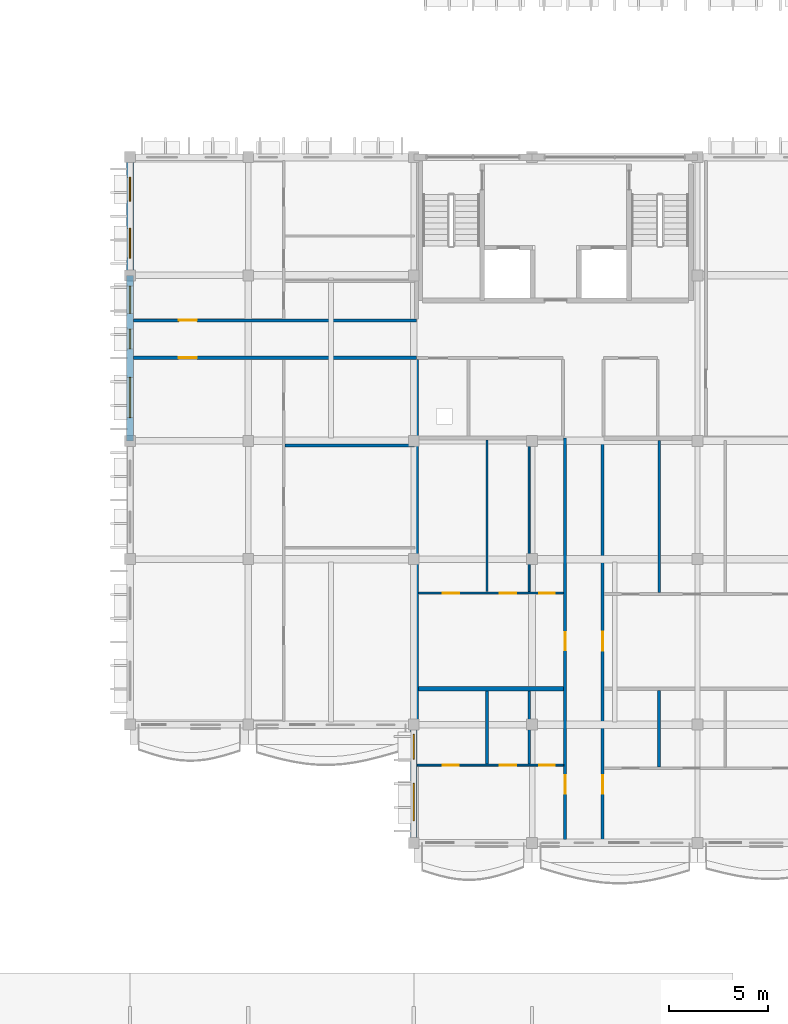
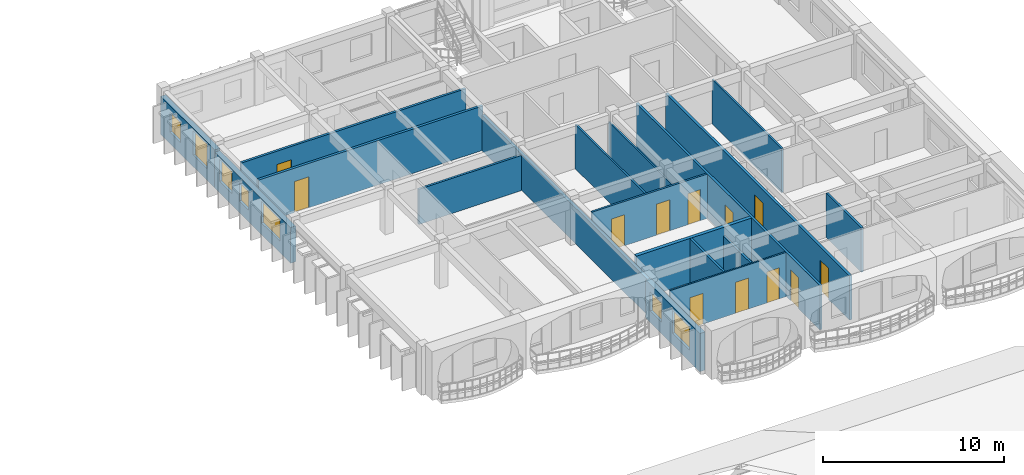
# One storey, part 59 of 101: 18 walls, 12 doors, 7 windows, 19 openings.
"""IFC4 building model written with IfcOpenShell, lengths in metres."""

from ifc_helpers import new_model, si_unit, direction, frame, frame_2d, origin, place, context, subcontext, project, spatial, rectangle, extrude, material, layer, layer_set, type_object, element, fill, save


model = new_model("IFC4")

# Units and contexts
model_context = context("Model", 3, precision=1e-05, world=origin(), true_north=direction((0.0, 1.0)))
body_context = subcontext(model_context, "Body", "Model", "MODEL_VIEW")
ifc_project = project(units=[si_unit("LENGTHUNIT", "METRE"), si_unit("AREAUNIT", "SQUARE_METRE"), si_unit("VOLUMEUNIT", "CUBIC_METRE"), si_unit("PLANEANGLEUNIT", "RADIAN"), si_unit("MASSUNIT", "GRAM", prefix="KILO"), si_unit("THERMODYNAMICTEMPERATUREUNIT", "KELVIN")], contexts=[model_context])

# Site, building, storey
site_placement = place(None, origin())
site = spatial("IfcSite", under=ifc_project, at=site_placement, CompositionType="ELEMENT")
building_placement = place(site_placement, origin())
building = spatial("IfcBuilding", under=site, at=building_placement, Name="Thalorik Housing Commons", CompositionType="ELEMENT")
storey_placement = place(building_placement, frame((0.0, 0.0, 8.10009765625)))
storey = spatial("IfcBuildingStorey", under=building, at=storey_placement, Name="L02", CompositionType="ELEMENT", Elevation=8.10009765625)

# Wall, openings, doors
ifc_material_1 = material(Name="Masonry fire-rated corridor wall", Category="masonry")
ifc_layer_1 = layer(ifc_material_1, 0.14990234375, Name="Masonry fire-rated corridor wall", Category="masonry")
ifc_layer_set_1 = layer_set([ifc_layer_1], Name="Masonry fire-rated corridor wall")
wall_type_1 = type_object("IfcWallType", Name="ARC-WAL-CORR-150", PredefinedType="PARTITIONING", material=ifc_layer_set_1)
wall_1_placement = place(storey_placement, frame((160.080078125, 37.369384765625, 0.0), z_axis=(0.0, 0.0, 1.0), x_axis=(0.0, 1.0, 0.0)))
wall_1 = element("IfcWall", 1, at=wall_1_placement, inside=storey, type_object=wall_type_1, Name="L02 Block D E Corridor Wall 1", PredefinedType="PARTITIONING", context=body_context, shape_type="SweptSolid", body=[
    extrude(rectangle(XDim=20.37060546875, YDim=0.14990234375, at=frame_2d((10.185302734375, 0.0))), origin(), (0.0, 0.0, 1.0), 3.0),
])
opening_1_placement = place(wall_1_placement, frame((2.33349609375, 0.0, 0.0)))
opening_1 = element("IfcOpeningElement", 2, at=opening_1_placement, cuts=wall_1, Name="Opening ID-2012", PredefinedType="OPENING", context=body_context, shape_type="SweptSolid", body=[
    extrude(rectangle(XDim=0.919921875, YDim=2.10009765625, at=frame_2d((0.4599609375, 1.050048828125))), frame((0.0, 0.0849609375, 0.0), z_axis=(0.0, -1.0, 0.0), x_axis=(1.0, 0.0, 0.0)), (0.0, 0.0, 1.0), 0.169921875),
])
opening_2_placement = place(wall_1_placement, frame((9.6005859375, 0.0, 0.0)))
opening_2 = element("IfcOpeningElement", 3, at=opening_2_placement, cuts=wall_1, Name="Opening ID-2013", PredefinedType="OPENING", context=body_context, shape_type="SweptSolid", body=[
    extrude(rectangle(XDim=0.919921875, YDim=2.10009765625, at=frame_2d((0.4599609375, 1.050048828125))), frame((0.0, 0.0849609375, 0.0), z_axis=(0.0, -1.0, 0.0), x_axis=(1.0, 0.0, 0.0)), (0.0, 0.0, 1.0), 0.169921875),
])
ifc_material_2 = material(Name="Solid core hardwood timber", Category="wood")
door_type_1 = type_object("IfcDoorType", Name="ARC-DR-FD30-920", OperationType="NOTDEFINED", PredefinedType="DOOR", material=ifc_material_2)
door_1_placement = place(opening_1_placement, origin())
door_1 = element("IfcDoor", 4, at=door_1_placement, inside=storey, type_object=door_type_1, Name="L02 Flat DE-1A Entrance Door", OperationType="SINGLE_SWING_LEFT", OverallHeight=2.10009765625, OverallWidth=0.919921875, PredefinedType="DOOR", context=body_context, shape_type="SweptSolid", body=[
    extrude(rectangle(XDim=0.919921875, YDim=2.10009765625, at=frame_2d((0.4599609375, 1.050048828125))), frame((0.0, 0.02490234375, 0.0), z_axis=(0.0, -1.0, 0.0), x_axis=(1.0, 0.0, 0.0)), (0.0, 0.0, 1.0), 0.050048828125),
])
fill(opening_1, door_1)
door_2_placement = place(opening_2_placement, origin())
door_2 = element("IfcDoor", 5, at=door_2_placement, inside=storey, type_object=door_type_1, Name="L02 Flat DE-2A Entrance Door", OperationType="SINGLE_SWING_RIGHT", OverallHeight=2.10009765625, OverallWidth=0.919921875, PredefinedType="DOOR", context=body_context, shape_type="SweptSolid", body=[
    extrude(rectangle(XDim=0.919921875, YDim=2.10009765625, at=frame_2d((0.4599609375, 1.050048828125))), frame((0.0, 0.02490234375, 0.0), z_axis=(0.0, -1.0, 0.0), x_axis=(1.0, 0.0, 0.0)), (0.0, 0.0, 1.0), 0.050048828125),
])
fill(opening_2, door_2)

# Wall, opening, door
wall_2_placement = place(storey_placement, frame((138.16943359375, 63.719970703125, 0.0), z_axis=(0.0, 0.0, 1.0), x_axis=(1.0, 0.0, 0.0)))
wall_2 = element("IfcWall", 6, at=wall_2_placement, inside=storey, type_object=wall_type_1, Name="L02 Block D R Corridor Wall 2", PredefinedType="PARTITIONING", context=body_context, shape_type="SweptSolid", body=[
    extrude(rectangle(XDim=14.37060546875, YDim=0.14990234375, at=frame_2d((7.185302734375, 0.0))), origin(), (0.0, 0.0, 1.0), 3.0),
])
opening_3_placement = place(wall_2_placement, frame((2.302734375, 0.0, 0.0)))
opening_3 = element("IfcOpeningElement", 7, at=opening_3_placement, cuts=wall_2, Name="Opening ID-2024", PredefinedType="OPENING", context=body_context, shape_type="SweptSolid", body=[
    extrude(rectangle(XDim=0.919921875, YDim=2.10009765625, at=frame_2d((0.4599609375, 1.050048828125))), frame((0.0, 0.0849609375, 0.0), z_axis=(0.0, -1.0, 0.0), x_axis=(1.0, 0.0, 0.0)), (0.0, 0.0, 1.0), 0.169921875),
])
door_3_placement = place(opening_3_placement, origin())
door_3 = element("IfcDoor", 8, at=door_3_placement, inside=storey, type_object=door_type_1, Name="L02 Flat DR-1B Entrance Door", OperationType="SINGLE_SWING_LEFT", OverallHeight=2.10009765625, OverallWidth=0.919921875, PredefinedType="DOOR", context=body_context, shape_type="SweptSolid", body=[
    extrude(rectangle(XDim=0.919921875, YDim=2.10009765625, at=frame_2d((0.4599609375, 1.050048828125))), frame((0.0, 0.02490234375, 0.0), z_axis=(0.0, -1.0, 0.0), x_axis=(1.0, 0.0, 0.0)), (0.0, 0.0, 1.0), 0.050048828125),
])
fill(opening_3, door_3)

# Wall, openings, doors
ifc_layer_2 = layer(ifc_material_1, 0.1650390625, Name="Masonry fire-rated corridor wall", Category="masonry")
ifc_layer_set_2 = layer_set([ifc_layer_2], Name="Masonry fire-rated corridor wall")
wall_type_2 = type_object("IfcWallType", Name="ARC-WAL-CORR-165", PredefinedType="PARTITIONING", material=ifc_layer_set_2)
wall_3_placement = place(storey_placement, frame((161.97998046875, 37.369384765625, 0.0), z_axis=(0.0, 0.0, 1.0), x_axis=(0.0, 1.0, 0.0)))
wall_3 = element("IfcWall", 9, at=wall_3_placement, inside=storey, type_object=wall_type_2, Name="L02 Block D E Corridor Wall 2", PredefinedType="PARTITIONING", context=body_context, shape_type="SweptSolid", body=[
    extrude(rectangle(XDim=20.37060546875, YDim=0.1650390625, at=frame_2d((10.185302734375, 0.0))), origin(), (0.0, 0.0, 1.0), 3.0),
])
opening_4_placement = place(wall_3_placement, frame((2.33447265625, 0.0, 0.0)))
opening_4 = element("IfcOpeningElement", 10, at=opening_4_placement, cuts=wall_3, Name="Opening ID-2014", PredefinedType="OPENING", context=body_context, shape_type="SweptSolid", body=[
    extrude(rectangle(XDim=0.919921875, YDim=2.10009765625, at=frame_2d((0.4599609375, 1.050048828125))), frame((0.0, 0.092529296875, 0.0), z_axis=(0.0, -1.0, 0.0), x_axis=(1.0, 0.0, 0.0)), (0.0, 0.0, 1.0), 0.18505859375),
])
opening_5_placement = place(wall_3_placement, frame((9.5732421875, 0.0, 0.0)))
opening_5 = element("IfcOpeningElement", 11, at=opening_5_placement, cuts=wall_3, Name="Opening ID-2015", PredefinedType="OPENING", context=body_context, shape_type="SweptSolid", body=[
    extrude(rectangle(XDim=0.9599609375, YDim=2.1201171875, at=frame_2d((0.47998046875, 1.06005859375))), frame((0.0, 0.092529296875, 0.0), z_axis=(0.0, -1.0, 0.0), x_axis=(1.0, 0.0, 0.0)), (0.0, 0.0, 1.0), 0.18505859375),
])
door_4_placement = place(opening_4_placement, origin())
door_4 = element("IfcDoor", 12, at=door_4_placement, inside=storey, type_object=door_type_1, Name="L02 Flat DE-1B Entrance Door", OperationType="SINGLE_SWING_LEFT", OverallHeight=2.10009765625, OverallWidth=0.919921875, PredefinedType="DOOR", context=body_context, shape_type="SweptSolid", body=[
    extrude(rectangle(XDim=0.919921875, YDim=2.10009765625, at=frame_2d((0.4599609375, 1.050048828125))), frame((0.0, 0.02490234375, 0.0), z_axis=(0.0, -1.0, 0.0), x_axis=(1.0, 0.0, 0.0)), (0.0, 0.0, 1.0), 0.050048828125),
])
fill(opening_4, door_4)
door_type_2 = type_object("IfcDoorType", Name="ARC-DR-FD30-960", OperationType="NOTDEFINED", PredefinedType="DOOR", material=ifc_material_2)
door_5_placement = place(opening_5_placement, origin())
door_5 = element("IfcDoor", 13, at=door_5_placement, inside=storey, type_object=door_type_2, Name="L02 Flat DE-2B Entrance Door", OperationType="SINGLE_SWING_RIGHT", OverallHeight=2.1201171875, OverallWidth=0.9599609375, PredefinedType="DOOR", context=body_context, shape_type="SweptSolid", body=[
    extrude(rectangle(XDim=0.9599609375, YDim=2.1201171875, at=frame_2d((0.47998046875, 1.06005859375))), frame((0.0, 0.02490234375, 0.0), z_axis=(0.0, -1.0, 0.0), x_axis=(1.0, 0.0, 0.0)), (0.0, 0.0, 1.0), 0.050048828125),
])
fill(opening_5, door_5)

# Wall, opening, door
wall_4_placement = place(storey_placement, frame((138.16943359375, 61.820068359375, 0.0), z_axis=(0.0, 0.0, 1.0), x_axis=(1.0, 0.0, 0.0)))
wall_4 = element("IfcWall", 14, at=wall_4_placement, inside=storey, type_object=wall_type_2, Name="L02 Block D R Corridor Wall 1", PredefinedType="PARTITIONING", context=body_context, shape_type="SweptSolid", body=[
    extrude(rectangle(XDim=14.37060546875, YDim=0.1650390625, at=frame_2d((7.185302734375, 0.0))), origin(), (0.0, 0.0, 1.0), 3.0),
])
opening_6_placement = place(wall_4_placement, frame((2.29931640625, 0.0, 0.0)))
opening_6 = element("IfcOpeningElement", 15, at=opening_6_placement, cuts=wall_4, Name="Opening ID-2023", PredefinedType="OPENING", context=body_context, shape_type="SweptSolid", body=[
    extrude(rectangle(XDim=0.919921875, YDim=2.10009765625, at=frame_2d((0.4599609375, 1.050048828125))), frame((0.0, 0.092529296875, 0.0), z_axis=(0.0, -1.0, 0.0), x_axis=(1.0, 0.0, 0.0)), (0.0, 0.0, 1.0), 0.18505859375),
])
door_6_placement = place(opening_6_placement, origin())
door_6 = element("IfcDoor", 16, at=door_6_placement, inside=storey, type_object=door_type_1, Name="L02 Flat DR-1A Entrance Door", OperationType="SINGLE_SWING_RIGHT", OverallHeight=2.10009765625, OverallWidth=0.919921875, PredefinedType="DOOR", context=body_context, shape_type="SweptSolid", body=[
    extrude(rectangle(XDim=0.919921875, YDim=2.10009765625, at=frame_2d((0.4599609375, 1.050048828125))), frame((0.0, 0.02490234375, 0.0), z_axis=(0.0, -1.0, 0.0), x_axis=(1.0, 0.0, 0.0)), (0.0, 0.0, 1.0), 0.050048828125),
])
fill(opening_6, door_6)

# Wall, openings, windows
ifc_material_3 = material(Name="White precast concrete C40/50", Category="concrete")
ifc_layer_3 = layer(ifc_material_3, 0.3349609375, Name="White precast concrete C40/50", Category="concrete")
ifc_layer_set_3 = layer_set([ifc_layer_3], Name="White precast concrete C40/50")
wall_type_3 = type_object("IfcWallType", Name="ARC-WAL-EXT-335", PredefinedType="STANDARD", material=ifc_layer_set_3)
wall_5_placement = place(storey_placement, frame((138.0, 72.0, 0.0), z_axis=(0.0, 0.0, 1.0), x_axis=(0.0, -1.0, 0.0)))
wall_5 = element("IfcWall", 17, at=wall_5_placement, inside=storey, type_object=wall_type_3, Name="L02 Exterior Wall WAL-EXT-L02-D-1147", PredefinedType="STANDARD", context=body_context, shape_type="SweptSolid", body=[
    extrude(rectangle(XDim=6.0, YDim=0.3349609375, at=frame_2d((3.0, 0.0))), origin(), (0.0, 0.0, 1.0), 2.574951171875),
])
opening_7_placement = place(wall_5_placement, frame((1.030029296875, 0.0, 0.780029296875)))
opening_7 = element("IfcOpeningElement", 18, at=opening_7_placement, cuts=wall_5, Name="Opening W-04", PredefinedType="OPENING", context=body_context, shape_type="SweptSolid", body=[
    extrude(rectangle(XDim=1.199951171875, YDim=1.35009765625, at=frame_2d((0.60009765625, 0.675048828125))), frame((0.0, 0.177490234375, 0.0), z_axis=(0.0, -1.0, 0.0), x_axis=(1.0, 0.0, 0.0)), (0.0, 0.0, 1.0), 0.35498046875),
])
opening_8_placement = place(wall_5_placement, frame((3.6201171875, 0.0, 0.780029296875)))
opening_8 = element("IfcOpeningElement", 19, at=opening_8_placement, cuts=wall_5, Name="Opening W-11", PredefinedType="OPENING", context=body_context, shape_type="SweptSolid", body=[
    extrude(rectangle(XDim=1.5, YDim=1.64990234375, at=frame_2d((0.75, 0.824951171875))), frame((0.0, 0.177490234375, 0.0), z_axis=(0.0, -1.0, 0.0), x_axis=(1.0, 0.0, 0.0)), (0.0, 0.0, 1.0), 0.35498046875),
])
ifc_material_4 = material(Name="Anodised aluminium and solar-control low-E glass", Category="aluminium")
window_type_1 = type_object("IfcWindowType", Name="ARC-WIN-04", PartitioningType="SINGLE_PANEL", PredefinedType="WINDOW", material=ifc_material_4)
window_1_placement = place(opening_7_placement, origin())
window_1 = element("IfcWindow", 20, at=window_1_placement, inside=storey, type_object=window_type_1, Name="L02 Facade Window 2101", OverallHeight=1.35009765625, OverallWidth=1.199951171875, PartitioningType="SINGLE_PANEL", PredefinedType="WINDOW", context=body_context, shape_type="SweptSolid", body=[
    extrude(rectangle(XDim=1.199951171875, YDim=1.35009765625, at=frame_2d((0.60009765625, 0.675048828125))), frame((0.0, 0.030029296875, 0.0), z_axis=(0.0, -1.0, 0.0), x_axis=(1.0, 0.0, 0.0)), (0.0, 0.0, 1.0), 0.06005859375),
])
fill(opening_7, window_1)
window_type_2 = type_object("IfcWindowType", Name="ARC-WIN-11", PartitioningType="SINGLE_PANEL", PredefinedType="WINDOW", material=ifc_material_4)
window_2_placement = place(opening_8_placement, origin())
window_2 = element("IfcWindow", 21, at=window_2_placement, inside=storey, type_object=window_type_2, Name="L02 Facade Window 2102", OverallHeight=1.64990234375, OverallWidth=1.5, PartitioningType="SINGLE_PANEL", PredefinedType="WINDOW", context=body_context, shape_type="SweptSolid", body=[
    extrude(rectangle(XDim=1.5, YDim=1.64990234375, at=frame_2d((0.75, 0.824951171875))), frame((0.0, 0.030029296875, 0.0), z_axis=(0.0, -1.0, 0.0), x_axis=(1.0, 0.0, 0.0)), (0.0, 0.0, 1.0), 0.06005859375),
])
fill(opening_8, window_2)

wall_6_placement = place(storey_placement, frame((138.0, 66.0, 0.0), z_axis=(0.0, 0.0, 1.0), x_axis=(0.0, -1.0, 0.0)))
wall_6 = element("IfcWall", 22, at=wall_6_placement, inside=storey, type_object=wall_type_3, Name="L02 Exterior Wall WAL-EXT-L02-D-1148", PredefinedType="STANDARD", context=body_context, shape_type="SweptSolid", body=[
    extrude(rectangle(XDim=8.39990234375, YDim=0.3349609375, at=frame_2d((4.199951171875, 0.0))), origin(), (0.0, 0.0, 1.0), 2.4248046875),
])
opening_9_placement = place(wall_6_placement, frame((0.544921875, 0.0, 0.780029296875)))
opening_9 = element("IfcOpeningElement", 23, at=opening_9_placement, cuts=wall_6, Name="Opening W-49", PredefinedType="OPENING", context=body_context, shape_type="SweptSolid", body=[
    extrude(rectangle(XDim=1.3798828125, YDim=1.47998046875, at=frame_2d((0.68994140625, 0.739990234375))), frame((0.0, 0.177490234375, 0.0), z_axis=(0.0, -1.0, 0.0), x_axis=(1.0, 0.0, 0.0)), (0.0, 0.0, 1.0), 0.35498046875),
])
opening_10_placement = place(wall_6_placement, frame((2.72998046875, 0.0, 0.780029296875)))
opening_10 = element("IfcOpeningElement", 24, at=opening_10_placement, cuts=wall_6, Name="Opening W-02", PredefinedType="OPENING", context=body_context, shape_type="SweptSolid", body=[
    extrude(rectangle(XDim=1.0, YDim=1.25, at=frame_2d((0.5, 0.625))), frame((0.0, 0.177490234375, 0.0), z_axis=(0.0, -1.0, 0.0), x_axis=(1.0, 0.0, 0.0)), (0.0, 0.0, 1.0), 0.35498046875),
])
opening_11_placement = place(wall_6_placement, frame((5.175048828125, 0.0, 0.780029296875)))
opening_11 = element("IfcOpeningElement", 25, at=opening_11_placement, cuts=wall_6, Name="Opening W-62", PredefinedType="OPENING", context=body_context, shape_type="SweptSolid", body=[
    extrude(rectangle(XDim=2.0400390625, YDim=1.4599609375, at=frame_2d((1.02001953125, 0.72998046875))), frame((0.0, 0.177490234375, 0.0), z_axis=(0.0, -1.0, 0.0), x_axis=(1.0, 0.0, 0.0)), (0.0, 0.0, 1.0), 0.35498046875),
])
window_type_3 = type_object("IfcWindowType", Name="ARC-WIN-02", PartitioningType="SINGLE_PANEL", PredefinedType="WINDOW", material=ifc_material_4)
window_3_placement = place(opening_10_placement, origin())
window_3 = element("IfcWindow", 26, at=window_3_placement, inside=storey, type_object=window_type_3, Name="L02 Facade Window 2104", OverallHeight=1.25, OverallWidth=1.0, PartitioningType="SINGLE_PANEL", PredefinedType="WINDOW", context=body_context, shape_type="SweptSolid", body=[
    extrude(rectangle(XDim=1.0, YDim=1.25, at=frame_2d((0.5, 0.625))), frame((0.0, 0.030029296875, 0.0), z_axis=(0.0, -1.0, 0.0), x_axis=(1.0, 0.0, 0.0)), (0.0, 0.0, 1.0), 0.06005859375),
])
fill(opening_10, window_3)
window_type_4 = type_object("IfcWindowType", Name="ARC-WIN-49", PartitioningType="SINGLE_PANEL", PredefinedType="WINDOW", material=ifc_material_4)
window_4_placement = place(opening_9_placement, origin())
window_4 = element("IfcWindow", 27, at=window_4_placement, inside=storey, type_object=window_type_4, Name="L02 Facade Window 2103", OverallHeight=1.47998046875, OverallWidth=1.3798828125, PartitioningType="SINGLE_PANEL", PredefinedType="WINDOW", context=body_context, shape_type="SweptSolid", body=[
    extrude(rectangle(XDim=1.3798828125, YDim=1.47998046875, at=frame_2d((0.68994140625, 0.739990234375))), frame((0.0, 0.030029296875, 0.0), z_axis=(0.0, -1.0, 0.0), x_axis=(1.0, 0.0, 0.0)), (0.0, 0.0, 1.0), 0.06005859375),
])
fill(opening_9, window_4)
window_type_5 = type_object("IfcWindowType", Name="ARC-WIN-62", PartitioningType="DOUBLE_PANEL_VERTICAL", PredefinedType="WINDOW", material=ifc_material_4)
window_5_placement = place(opening_11_placement, origin())
window_5 = element("IfcWindow", 28, at=window_5_placement, inside=storey, type_object=window_type_5, Name="L02 Facade Window 2105", OverallHeight=1.4599609375, OverallWidth=2.0400390625, PartitioningType="DOUBLE_PANEL_VERTICAL", PredefinedType="WINDOW", context=body_context, shape_type="SweptSolid", body=[
    extrude(rectangle(XDim=2.0400390625, YDim=1.4599609375, at=frame_2d((1.02001953125, 0.72998046875))), frame((0.0, 0.030029296875, 0.0), z_axis=(0.0, -1.0, 0.0), x_axis=(1.0, 0.0, 0.0)), (0.0, 0.0, 1.0), 0.06005859375),
])
fill(opening_11, window_5)

wall_7_placement = place(storey_placement, frame((152.39990234375, 43.199951171875, 0.0), z_axis=(0.0, 0.0, 1.0), x_axis=(0.0, -1.0, 0.0)))
wall_7 = element("IfcWall", 29, at=wall_7_placement, inside=storey, type_object=wall_type_3, Name="L02 Exterior Wall WAL-EXT-L02-D-1153", PredefinedType="STANDARD", context=body_context, shape_type="SweptSolid", body=[
    extrude(rectangle(XDim=6.0, YDim=0.3349609375, at=frame_2d((3.0, 0.0))), origin(), (0.0, 0.0, 1.0), 2.574951171875),
])
opening_12_placement = place(wall_7_placement, frame((0.5, 0.0, 0.780029296875)))
opening_12 = element("IfcOpeningElement", 30, at=opening_12_placement, cuts=wall_7, Name="Opening W-46", PredefinedType="OPENING", context=body_context, shape_type="SweptSolid", body=[
    extrude(rectangle(XDim=1.25, YDim=1.300048828125, at=frame_2d((0.625, 0.64990234375))), frame((0.0, 0.177490234375, 0.0), z_axis=(0.0, -1.0, 0.0), x_axis=(1.0, 0.0, 0.0)), (0.0, 0.0, 1.0), 0.35498046875),
])
opening_13_placement = place(wall_7_placement, frame((2.985107421875, 0.0, 0.780029296875)))
opening_13 = element("IfcOpeningElement", 31, at=opening_13_placement, cuts=wall_7, Name="Opening W-21", PredefinedType="OPENING", context=body_context, shape_type="SweptSolid", body=[
    extrude(rectangle(XDim=1.89990234375, YDim=1.550048828125, at=frame_2d((0.949951171875, 0.77490234375))), frame((0.0, 0.177490234375, 0.0), z_axis=(0.0, -1.0, 0.0), x_axis=(1.0, 0.0, 0.0)), (0.0, 0.0, 1.0), 0.35498046875),
])
window_type_6 = type_object("IfcWindowType", Name="ARC-WIN-21", PartitioningType="DOUBLE_PANEL_VERTICAL", PredefinedType="WINDOW", material=ifc_material_4)
window_6_placement = place(opening_13_placement, origin())
window_6 = element("IfcWindow", 32, at=window_6_placement, inside=storey, type_object=window_type_6, Name="L02 Facade Window 2115", OverallHeight=1.550048828125, OverallWidth=1.89990234375, PartitioningType="DOUBLE_PANEL_VERTICAL", PredefinedType="WINDOW", context=body_context, shape_type="SweptSolid", body=[
    extrude(rectangle(XDim=1.89990234375, YDim=1.550048828125, at=frame_2d((0.949951171875, 0.77490234375))), frame((0.0, 0.030029296875, 0.0), z_axis=(0.0, -1.0, 0.0), x_axis=(1.0, 0.0, 0.0)), (0.0, 0.0, 1.0), 0.06005859375),
])
fill(opening_13, window_6)
window_type_7 = type_object("IfcWindowType", Name="ARC-WIN-46", PartitioningType="SINGLE_PANEL", PredefinedType="WINDOW", material=ifc_material_4)
window_7_placement = place(opening_12_placement, origin())
window_7 = element("IfcWindow", 33, at=window_7_placement, inside=storey, type_object=window_type_7, Name="L02 Facade Window 2114", OverallHeight=1.300048828125, OverallWidth=1.25, PartitioningType="SINGLE_PANEL", PredefinedType="WINDOW", context=body_context, shape_type="SweptSolid", body=[
    extrude(rectangle(XDim=1.25, YDim=1.300048828125, at=frame_2d((0.625, 0.64990234375))), frame((0.0, 0.030029296875, 0.0), z_axis=(0.0, -1.0, 0.0), x_axis=(1.0, 0.0, 0.0)), (0.0, 0.0, 1.0), 0.06005859375),
])
fill(opening_12, window_7)

# Wall, openings, doors
ifc_material_5 = material(Name="Gypsum light stud partition", Category="masonry")
ifc_layer_4 = layer(ifc_material_5, 0.10009765625, Name="Gypsum light stud partition", Category="masonry")
ifc_layer_set_4 = layer_set([ifc_layer_4], Name="Gypsum light stud partition")
wall_type_4 = type_object("IfcWallType", Name="ARC-WAL-PART-100", PredefinedType="PARTITIONING", material=ifc_layer_set_4)
wall_8_placement = place(storey_placement, frame((152.569580078125, 41.139892578125, 0.0), z_axis=(0.0, 0.0, 1.0), x_axis=(1.0, 0.0, 0.0)))
wall_8 = element("IfcWall", 34, at=wall_8_placement, inside=storey, type_object=wall_type_4, Name="L02 Unit 1 Spine Partition", PredefinedType="PARTITIONING", context=body_context, shape_type="SweptSolid", body=[
    extrude(rectangle(XDim=7.433349609375, YDim=0.10009765625, at=frame_2d((3.716796875, 0.0))), origin(), (0.0, 0.0, 1.0), 3.0),
])
opening_14_placement = place(wall_8_placement, frame((1.294189453125, 0.0, 0.0)))
opening_14 = element("IfcOpeningElement", 35, at=opening_14_placement, cuts=wall_8, Name="Opening ID-2000", PredefinedType="OPENING", context=body_context, shape_type="SweptSolid", body=[
    extrude(rectangle(XDim=0.820068359375, YDim=2.080078125, at=frame_2d((0.41015625, 1.0400390625))), frame((0.0, 0.06005859375, 0.0), z_axis=(0.0, -1.0, 0.0), x_axis=(1.0, 0.0, 0.0)), (0.0, 0.0, 1.0), 0.1201171875),
])
opening_15_placement = place(wall_8_placement, frame((4.18994140625, 0.0, 0.0)))
opening_15 = element("IfcOpeningElement", 36, at=opening_15_placement, cuts=wall_8, Name="Opening ID-2001", PredefinedType="OPENING", context=body_context, shape_type="SweptSolid", body=[
    extrude(rectangle(XDim=0.85009765625, YDim=2.10009765625, at=frame_2d((0.425048828125, 1.050048828125))), frame((0.0, 0.06005859375, 0.0), z_axis=(0.0, -1.0, 0.0), x_axis=(1.0, 0.0, 0.0)), (0.0, 0.0, 1.0), 0.1201171875),
])
opening_16_placement = place(wall_8_placement, frame((6.196044921875, 0.0, 0.0)))
opening_16 = element("IfcOpeningElement", 37, at=opening_16_placement, cuts=wall_8, Name="Opening ID-2002", PredefinedType="OPENING", context=body_context, shape_type="SweptSolid", body=[
    extrude(rectangle(XDim=0.800048828125, YDim=2.10009765625, at=frame_2d((0.39990234375, 1.050048828125))), frame((0.0, 0.06005859375, 0.0), z_axis=(0.0, -1.0, 0.0), x_axis=(1.0, 0.0, 0.0)), (0.0, 0.0, 1.0), 0.1201171875),
])
ifc_material_6 = material(Name="Moisture-resistant timber", Category="wood")
door_type_3 = type_object("IfcDoorType", Name="ARC-DR-INT-800", OperationType="NOTDEFINED", PredefinedType="DOOR", material=ifc_material_6)
door_7_placement = place(opening_16_placement, origin())
door_7 = element("IfcDoor", 38, at=door_7_placement, inside=storey, type_object=door_type_3, Name="L02 Flat Bathroom Door", OperationType="SINGLE_SWING_LEFT", OverallHeight=2.10009765625, OverallWidth=0.800048828125, PredefinedType="DOOR", context=body_context, shape_type="SweptSolid", body=[
    extrude(rectangle(XDim=0.800048828125, YDim=2.10009765625, at=frame_2d((0.39990234375, 1.050048828125))), frame((0.0, 0.02490234375, 0.0), z_axis=(0.0, -1.0, 0.0), x_axis=(1.0, 0.0, 0.0)), (0.0, 0.0, 1.0), 0.050048828125),
])
fill(opening_16, door_7)
ifc_material_7 = material(Name="Engineered oak timber", Category="wood")
door_type_4 = type_object("IfcDoorType", Name="ARC-DR-INT-820", OperationType="NOTDEFINED", PredefinedType="DOOR", material=ifc_material_7)
door_8_placement = place(opening_14_placement, origin())
door_8 = element("IfcDoor", 39, at=door_8_placement, inside=storey, type_object=door_type_4, Name="L02 Master Bedroom Door", OperationType="SINGLE_SWING_LEFT", OverallHeight=2.080078125, OverallWidth=0.820068359375, PredefinedType="DOOR", context=body_context, shape_type="SweptSolid", body=[
    extrude(rectangle(XDim=0.820068359375, YDim=2.080078125, at=frame_2d((0.41015625, 1.0400390625))), frame((0.0, 0.02490234375, 0.0), z_axis=(0.0, -1.0, 0.0), x_axis=(1.0, 0.0, 0.0)), (0.0, 0.0, 1.0), 0.050048828125),
])
fill(opening_14, door_8)
door_type_5 = type_object("IfcDoorType", Name="ARC-DR-INT-850", OperationType="NOTDEFINED", PredefinedType="DOOR", material=ifc_material_7)
door_9_placement = place(opening_15_placement, origin())
door_9 = element("IfcDoor", 40, at=door_9_placement, inside=storey, type_object=door_type_5, Name="L02 Eat-In Kitchen Door", OperationType="SINGLE_SWING_RIGHT", OverallHeight=2.10009765625, OverallWidth=0.85009765625, PredefinedType="DOOR", context=body_context, shape_type="SweptSolid", body=[
    extrude(rectangle(XDim=0.85009765625, YDim=2.10009765625, at=frame_2d((0.425048828125, 1.050048828125))), frame((0.0, 0.02490234375, 0.0), z_axis=(0.0, -1.0, 0.0), x_axis=(1.0, 0.0, 0.0)), (0.0, 0.0, 1.0), 0.050048828125),
])
fill(opening_15, door_9)

# Walls
wall_9_placement = place(storey_placement, frame((158.251220703125, 49.944580078125, 0.0), z_axis=(0.0, 0.0, 1.0), x_axis=(0.0, 1.0, 0.0)))
element("IfcWall", 41, at=wall_9_placement, inside=storey, type_object=wall_type_4, Name="L02 Unit 2 Wet Wall", PredefinedType="PARTITIONING", context=body_context, shape_type="SweptSolid", body=[
    extrude(rectangle(XDim=7.693359375, YDim=0.10009765625, at=frame_2d((3.8466796875, 0.0))), origin(), (0.0, 0.0, 1.0), 2.4248046875),
])
ifc_material_8 = material(Name="Gypsum moisture-resistant partition", Category="masonry")
ifc_layer_5 = layer(ifc_material_8, 0.114990234375, Name="Gypsum moisture-resistant partition", Category="masonry")
ifc_layer_set_5 = layer_set([ifc_layer_5], Name="Gypsum moisture-resistant partition")
wall_type_5 = type_object("IfcWallType", Name="ARC-WAL-PART-115", PredefinedType="PARTITIONING", material=ifc_layer_set_5)
wall_10_placement = place(storey_placement, frame((156.11767578125, 49.944580078125, 0.0), z_axis=(0.0, 0.0, 1.0), x_axis=(0.0, 1.0, 0.0)))
element("IfcWall", 42, at=wall_10_placement, inside=storey, type_object=wall_type_5, Name="L02 Unit 2 Bedroom Partition", PredefinedType="PARTITIONING", context=body_context, shape_type="SweptSolid", body=[
    extrude(rectangle(XDim=7.693359375, YDim=0.114990234375, at=frame_2d((3.8466796875, 0.0))), origin(), (0.0, 0.0, 1.0), 3.0),
])
wall_11_placement = place(storey_placement, frame((164.850341796875, 49.897705078125, 0.0), z_axis=(0.0, 0.0, 1.0), x_axis=(0.0, 1.0, 0.0)))
element("IfcWall", 43, at=wall_11_placement, inside=storey, type_object=wall_type_5, Name="L02 Unit 2B Wet Wall", PredefinedType="PARTITIONING", context=body_context, shape_type="SweptSolid", body=[
    extrude(rectangle(XDim=7.730224609375, YDim=0.114990234375, at=frame_2d((3.865234375, 0.0))), origin(), (0.0, 0.0, 1.0), 3.0),
])
ifc_material_9 = material(Name="Gypsum acoustic stud partition", Category="masonry")
ifc_layer_6 = layer(ifc_material_9, 0.125, Name="Gypsum acoustic stud partition", Category="masonry")
ifc_layer_set_6 = layer_set([ifc_layer_6], Name="Gypsum acoustic stud partition")
wall_type_6 = type_object("IfcWallType", Name="ARC-WAL-PART-125", PredefinedType="PARTITIONING", material=ifc_layer_set_6)
wall_12_placement = place(storey_placement, frame((158.251220703125, 41.19189453125, 0.0), z_axis=(0.0, 0.0, 1.0), x_axis=(0.0, 1.0, 0.0)))
element("IfcWall", 44, at=wall_12_placement, inside=storey, type_object=wall_type_6, Name="L02 Unit 1 Wet Wall", PredefinedType="PARTITIONING", context=body_context, shape_type="SweptSolid", body=[
    extrude(rectangle(XDim=3.716064453125, YDim=0.125, at=frame_2d((1.85791015625, 0.0))), origin(), (0.0, 0.0, 1.0), 2.4248046875),
])

# Wall, openings, doors
wall_13_placement = place(storey_placement, frame((152.634521484375, 49.8798828125, 0.0), z_axis=(0.0, 0.0, 1.0), x_axis=(1.0, 0.0, 0.0)))
wall_13 = element("IfcWall", 45, at=wall_13_placement, inside=storey, type_object=wall_type_6, Name="L02 Unit 2 Spine Partition", PredefinedType="PARTITIONING", context=body_context, shape_type="SweptSolid", body=[
    extrude(rectangle(XDim=7.368408203125, YDim=0.125, at=frame_2d((3.68408203125, 0.0))), origin(), (0.0, 0.0, 1.0), 3.0),
])
opening_17_placement = place(wall_13_placement, frame((1.229248046875, 0.0, 0.0)))
opening_17 = element("IfcOpeningElement", 46, at=opening_17_placement, cuts=wall_13, Name="Opening ID-2006", PredefinedType="OPENING", context=body_context, shape_type="SweptSolid", body=[
    extrude(rectangle(XDim=0.85009765625, YDim=2.10009765625, at=frame_2d((0.425048828125, 1.050048828125))), frame((0.0, 0.072509765625, 0.0), z_axis=(0.0, -1.0, 0.0), x_axis=(1.0, 0.0, 0.0)), (0.0, 0.0, 1.0), 0.14501953125),
])
opening_18_placement = place(wall_13_placement, frame((4.125, 0.0, 0.0)))
opening_18 = element("IfcOpeningElement", 47, at=opening_18_placement, cuts=wall_13, Name="Opening ID-2007", PredefinedType="OPENING", context=body_context, shape_type="SweptSolid", body=[
    extrude(rectangle(XDim=0.85009765625, YDim=2.10009765625, at=frame_2d((0.425048828125, 1.050048828125))), frame((0.0, 0.072509765625, 0.0), z_axis=(0.0, -1.0, 0.0), x_axis=(1.0, 0.0, 0.0)), (0.0, 0.0, 1.0), 0.14501953125),
])
opening_19_placement = place(wall_13_placement, frame((6.131103515625, 0.0, 0.0)))
opening_19 = element("IfcOpeningElement", 48, at=opening_19_placement, cuts=wall_13, Name="Opening ID-2008", PredefinedType="OPENING", context=body_context, shape_type="SweptSolid", body=[
    extrude(rectangle(XDim=0.800048828125, YDim=2.10009765625, at=frame_2d((0.39990234375, 1.050048828125))), frame((0.0, 0.072509765625, 0.0), z_axis=(0.0, -1.0, 0.0), x_axis=(1.0, 0.0, 0.0)), (0.0, 0.0, 1.0), 0.14501953125),
])
door_10_placement = place(opening_19_placement, origin())
door_10 = element("IfcDoor", 49, at=door_10_placement, inside=storey, type_object=door_type_3, Name="L02 Flat Bathroom Door", OperationType="SINGLE_SWING_LEFT", OverallHeight=2.10009765625, OverallWidth=0.800048828125, PredefinedType="DOOR", context=body_context, shape_type="SweptSolid", body=[
    extrude(rectangle(XDim=0.800048828125, YDim=2.10009765625, at=frame_2d((0.39990234375, 1.050048828125))), frame((0.0, 0.02490234375, 0.0), z_axis=(0.0, -1.0, 0.0), x_axis=(1.0, 0.0, 0.0)), (0.0, 0.0, 1.0), 0.050048828125),
])
fill(opening_19, door_10)
door_11_placement = place(opening_17_placement, origin())
door_11 = element("IfcDoor", 50, at=door_11_placement, inside=storey, type_object=door_type_5, Name="L02 Double Bedroom Door", OperationType="SINGLE_SWING_LEFT", OverallHeight=2.10009765625, OverallWidth=0.85009765625, PredefinedType="DOOR", context=body_context, shape_type="SweptSolid", body=[
    extrude(rectangle(XDim=0.85009765625, YDim=2.10009765625, at=frame_2d((0.425048828125, 1.050048828125))), frame((0.0, 0.02490234375, 0.0), z_axis=(0.0, -1.0, 0.0), x_axis=(1.0, 0.0, 0.0)), (0.0, 0.0, 1.0), 0.050048828125),
])
fill(opening_17, door_11)
door_12_placement = place(opening_18_placement, origin())
door_12 = element("IfcDoor", 51, at=door_12_placement, inside=storey, type_object=door_type_5, Name="L02 Galley Kitchen Door", OperationType="SINGLE_SWING_RIGHT", OverallHeight=2.10009765625, OverallWidth=0.85009765625, PredefinedType="DOOR", context=body_context, shape_type="SweptSolid", body=[
    extrude(rectangle(XDim=0.85009765625, YDim=2.10009765625, at=frame_2d((0.425048828125, 1.050048828125))), frame((0.0, 0.02490234375, 0.0), z_axis=(0.0, -1.0, 0.0), x_axis=(1.0, 0.0, 0.0)), (0.0, 0.0, 1.0), 0.050048828125),
])
fill(opening_18, door_12)

# Walls
ifc_material_10 = material(Name="Ceramic masonry partition wall", Category="masonry")
ifc_layer_7 = layer(ifc_material_10, 0.139892578125, Name="Ceramic masonry partition wall", Category="masonry")
ifc_layer_set_7 = layer_set([ifc_layer_7], Name="Ceramic masonry partition wall")
wall_type_7 = type_object("IfcWallType", Name="ARC-WAL-PART-140", PredefinedType="PARTITIONING", material=ifc_layer_set_7)
wall_14_placement = place(storey_placement, frame((156.11767578125, 41.19189453125, 0.0), z_axis=(0.0, 0.0, 1.0), x_axis=(0.0, 1.0, 0.0)))
element("IfcWall", 52, at=wall_14_placement, inside=storey, type_object=wall_type_7, Name="L02 Unit 1 Bedroom Partition", PredefinedType="PARTITIONING", context=body_context, shape_type="SweptSolid", body=[
    extrude(rectangle(XDim=3.716064453125, YDim=0.139892578125, at=frame_2d((1.85791015625, 0.0))), origin(), (0.0, 0.0, 1.0), 3.0),
])
wall_15_placement = place(storey_placement, frame((164.850341796875, 41.044189453125, 0.0), z_axis=(0.0, 0.0, 1.0), x_axis=(0.0, 1.0, 0.0)))
element("IfcWall", 53, at=wall_15_placement, inside=storey, type_object=wall_type_7, Name="L02 Unit 1B Wet Wall", PredefinedType="PARTITIONING", context=body_context, shape_type="SweptSolid", body=[
    extrude(rectangle(XDim=3.88134765625, YDim=0.139892578125, at=frame_2d((1.940673828125, 0.0))), origin(), (0.0, 0.0, 1.0), 3.0),
])
wall_16_placement = place(storey_placement, frame((145.859619140625, 57.365478515625, 0.0), z_axis=(0.0, 0.0, 1.0), x_axis=(1.0, 0.0, 0.0)))
element("IfcWall", 54, at=wall_16_placement, inside=storey, type_object=wall_type_7, Name="L02 Unit 1 Wet Wall", PredefinedType="PARTITIONING", context=body_context, shape_type="SweptSolid", body=[
    extrude(rectangle(XDim=6.5859375, YDim=0.139892578125, at=frame_2d((3.29296875, 0.0))), origin(), (0.0, 0.0, 1.0), 2.375),
])
ifc_material_11 = material(Name="Masonry acoustic blockwork wall", Category="masonry")
ifc_layer_8 = layer(ifc_material_11, 0.18505859375, Name="Masonry acoustic blockwork wall", Category="masonry")
ifc_layer_set_8 = layer_set([ifc_layer_8], Name="Masonry acoustic blockwork wall")
wall_type_8 = type_object("IfcWallType", Name="ARC-WAL-PARTY-185", PredefinedType="PARTITIONING", material=ifc_layer_set_8)
wall_17_placement = place(storey_placement, frame((152.5400390625, 43.260009765625, 0.0), z_axis=(0.0, 0.0, 1.0), x_axis=(0.0, 1.0, 0.0)))
element("IfcWall", 55, at=wall_17_placement, inside=storey, type_object=wall_type_8, Name="L02 Core End Wall A", PredefinedType="PARTITIONING", context=body_context, shape_type="SweptSolid", body=[
    extrude(rectangle(XDim=18.464111328125, YDim=0.18505859375, at=frame_2d((9.23193359375, 0.0))), origin(), (0.0, 0.0, 1.0), 2.4248046875),
])
ifc_material_12 = material(Name="Precast concrete C40/50 acoustic wall", Category="concrete")
ifc_layer_9 = layer(ifc_material_12, 0.219970703125, Name="Precast concrete C40/50 acoustic wall", Category="concrete")
ifc_layer_set_9 = layer_set([ifc_layer_9], Name="Precast concrete C40/50 acoustic wall")
wall_type_9 = type_object("IfcWallType", Name="ARC-WAL-PARTY-220", PredefinedType="PARTITIONING", material=ifc_layer_set_9)
wall_18_placement = place(storey_placement, frame((152.634521484375, 45.02001953125, 0.0), z_axis=(0.0, 0.0, 1.0), x_axis=(1.0, 0.0, 0.0)))
element("IfcWall", 56, at=wall_18_placement, inside=storey, type_object=wall_type_9, Name="L02 Inter-Tenancy Wall 1A", PredefinedType="PARTITIONING", context=body_context, shape_type="SweptSolid", body=[
    extrude(rectangle(XDim=7.368408203125, YDim=0.219970703125, at=frame_2d((3.68408203125, 0.0))), origin(), (0.0, 0.0, 1.0), 3.0),
])

save(model, "model.ifc")
